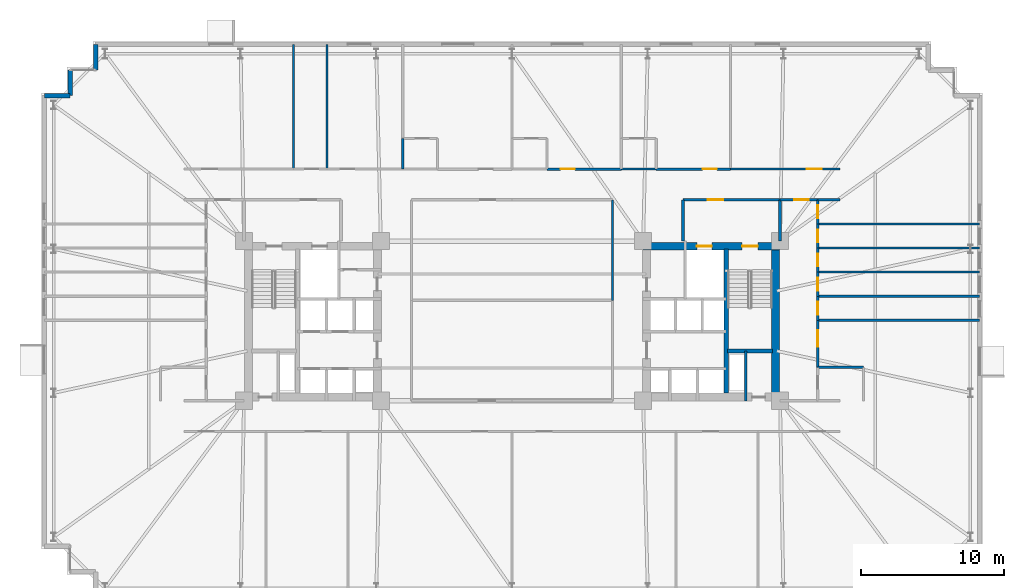
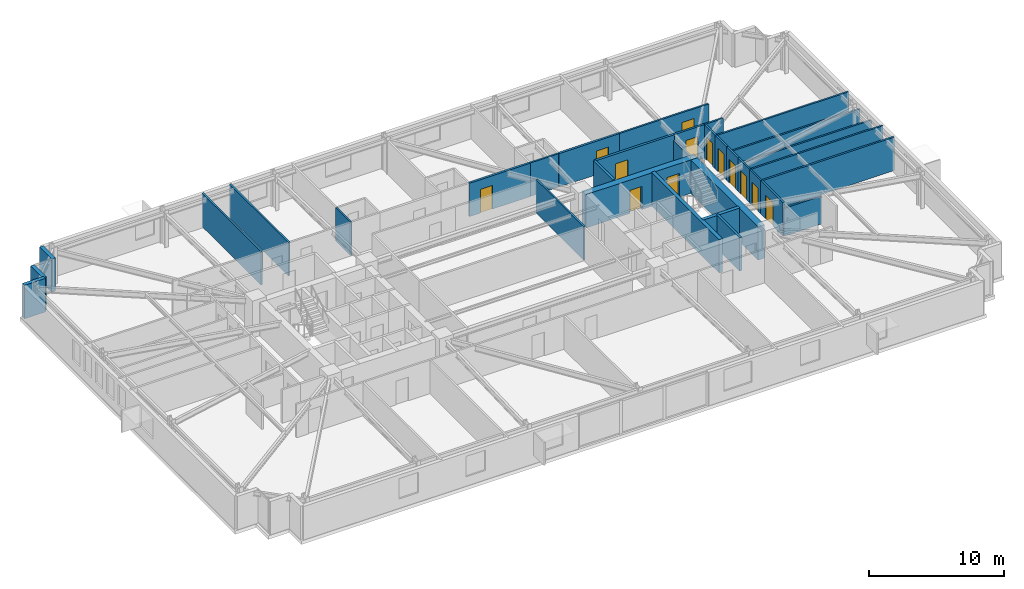
# One storey, part 21 of 24: 33 walls, 13 doors, 13 openings.
"""IFC4 building model written with IfcOpenShell, lengths in metres."""

from ifc_helpers import new_model, si_unit, direction, frame, frame_2d, origin, place, context, subcontext, project, spatial, rectangle, extrude, material, layer, layer_set, type_object, element, fill, save


model = new_model("IFC4")

# Units and contexts
model_context = context("Model", 3, precision=1e-05, world=origin(), true_north=direction((0.0, 1.0)))
body_context = subcontext(model_context, "Body", "Model", "MODEL_VIEW")
ifc_project = project(units=[si_unit("LENGTHUNIT", "METRE"), si_unit("AREAUNIT", "SQUARE_METRE"), si_unit("VOLUMEUNIT", "CUBIC_METRE"), si_unit("PLANEANGLEUNIT", "RADIAN"), si_unit("MASSUNIT", "GRAM", prefix="KILO")], contexts=[model_context])

# Site, building, storey
site_placement = place(None, origin())
site = spatial("IfcSite", under=ifc_project, at=site_placement, CompositionType="ELEMENT")
building_placement = place(site_placement, origin())
building = spatial("IfcBuilding", under=site, at=building_placement, Name="Qobustan Lattice House", CompositionType="ELEMENT")
storey_placement = place(building_placement, frame((0.0, 0.0, 43.75)))
storey = spatial("IfcBuildingStorey", under=building, at=storey_placement, Name="L11", CompositionType="ELEMENT", Elevation=43.75)

# Wall, openings, doors
ifc_material_1 = material(Name="Concrete C60/75", Category="concrete")
ifc_layer_1 = layer(ifc_material_1, 0.56005859375)
ifc_layer_set_1 = layer_set([ifc_layer_1], Name="Concrete C60/75")
wall_type_1 = type_object("IfcWallType", Name="WAL-CORE-600", PredefinedType="SHEAR", material=ifc_layer_set_1)
wall_1_placement = place(storey_placement, frame((9.199951171875, 5.239990234375, 0.0), z_axis=(0.0, 0.0, 1.0), x_axis=(1.0, 0.0, 0.0)))
wall_1 = element("IfcWall", 1, at=wall_1_placement, inside=storey, type_object=wall_type_1, Name="L11 split-core shear wall CE-N", PredefinedType="SHEAR", context=body_context, shape_type="SweptSolid", body=[
    extrude(rectangle(XDim=9.60009765625, YDim=0.56005859375, at=frame_2d((4.800048828125, 0.0))), origin(), (0.0, 0.0, 1.0), 3.034912109375),
])
opening_1_placement = place(wall_1_placement, frame((6.949951171875, 0.0, 0.0)))
opening_1 = element("IfcOpeningElement", 2, at=opening_1_placement, cuts=wall_1, Name="Opening SD-01", PredefinedType="OPENING", context=body_context, shape_type="SweptSolid", body=[
    extrude(rectangle(XDim=1.10009765625, YDim=2.14990234375, at=frame_2d((0.550048828125, 1.074951171875))), frame((0.0, 0.2900390625, 0.0), z_axis=(0.0, -1.0, 0.0), x_axis=(1.0, 0.0, 0.0)), (0.0, 0.0, 1.0), 0.580078125),
])
opening_2_placement = place(wall_1_placement, frame((3.77490234375, 0.0, 0.0)))
opening_2 = element("IfcOpeningElement", 3, at=opening_2_placement, cuts=wall_1, Name="Opening LD-01", PredefinedType="OPENING", context=body_context, shape_type="SweptSolid", body=[
    extrude(rectangle(XDim=1.050048828125, YDim=2.10009765625, at=frame_2d((0.52490234375, 1.050048828125))), frame((0.0, 0.2900390625, 0.0), z_axis=(0.0, -1.0, 0.0), x_axis=(1.0, 0.0, 0.0)), (0.0, 0.0, 1.0), 0.580078125),
])
ifc_material_2 = material(Name="Persian walnut timber and steel frame door", Category="steel")
door_type_1 = type_object("IfcDoorType", Name="DOR-LIFT-LD-1050x2100", OperationType="NOTDEFINED", PredefinedType="DOOR", material=ifc_material_2)
door_1_placement = place(opening_2_placement, origin())
door_1 = element("IfcDoor", 4, at=door_1_placement, inside=storey, type_object=door_type_1, Name="L11 firefighting lift FF-E landing door", OperationType="DOUBLE_DOOR_SLIDING", OverallHeight=2.10009765625, OverallWidth=1.050048828125, PredefinedType="DOOR", context=body_context, shape_type="SweptSolid", body=[
    extrude(rectangle(XDim=1.050048828125, YDim=2.10009765625, at=frame_2d((0.52490234375, 1.050048828125))), frame((0.0, 0.02490234375, 0.0), z_axis=(0.0, -1.0, 0.0), x_axis=(1.0, 0.0, 0.0)), (0.0, 0.0, 1.0), 0.050048828125),
])
fill(opening_2, door_1)
ifc_material_3 = material(Name="Persian walnut timber and steel frame door", Category="steel")
door_type_2 = type_object("IfcDoorType", Name="DOR-STAIR-FD-1100x2150", OperationType="NOTDEFINED", PredefinedType="DOOR", material=ifc_material_3)
door_2_placement = place(opening_1_placement, origin())
door_2 = element("IfcDoor", 5, at=door_2_placement, inside=storey, type_object=door_type_2, Name="L11 exit stair ST-E1 fire door", OperationType="SINGLE_SWING_RIGHT", OverallHeight=2.14990234375, OverallWidth=1.10009765625, PredefinedType="DOOR", context=body_context, shape_type="SweptSolid", body=[
    extrude(rectangle(XDim=1.10009765625, YDim=2.14990234375, at=frame_2d((0.550048828125, 1.074951171875))), frame((0.0, 0.02490234375, 0.0), z_axis=(0.0, -1.0, 0.0), x_axis=(1.0, 0.0, 0.0)), (0.0, 0.0, 1.0), 0.050048828125),
])
fill(opening_1, door_2)

# Walls
wall_2_placement = place(storey_placement, frame((18.489990234375, -5.050048828125, 0.0), z_axis=(0.0, 0.0, 1.0), x_axis=(0.0, 1.0, 0.0)))
element("IfcWall", 6, at=wall_2_placement, inside=storey, type_object=wall_type_1, Name="L11 split-core shear wall CE-E", PredefinedType="SHEAR", context=body_context, shape_type="SweptSolid", body=[
    extrude(rectangle(XDim=10.10009765625, YDim=0.56005859375, at=frame_2d((5.050048828125, 0.0))), origin(), (0.0, 0.0, 1.0), 3.034912109375),
])
ifc_material_4 = material(Name="Concrete C50/60", Category="concrete")
ifc_layer_2 = layer(ifc_material_4, 0.280029296875)
ifc_layer_set_2 = layer_set([ifc_layer_2], Name="Concrete C50/60")
wall_type_2 = type_object("IfcWallType", Name="WAL-CORE-SPINE-280", PredefinedType="SHEAR", material=ifc_layer_set_2)
wall_3_placement = place(storey_placement, frame((15.02001953125, -5.050048828125, 0.0), z_axis=(0.0, 0.0, 1.0), x_axis=(0.0, 1.0, 0.0)))
element("IfcWall", 7, at=wall_3_placement, inside=storey, type_object=wall_type_2, Name="L11 split-core shear wall CE-M", PredefinedType="SHEAR", context=body_context, shape_type="SweptSolid", body=[
    extrude(rectangle(XDim=10.10009765625, YDim=0.300048828125, at=frame_2d((5.050048828125, 0.0))), origin(), (0.0, 0.0, 1.0), 3.034912109375),
])
wall_4_placement = place(storey_placement, frame((15.10009765625, -2.110107421875, 0.0), z_axis=(0.0, 0.0, 1.0), x_axis=(1.0, 0.0, 0.0)))
element("IfcWall", 8, at=wall_4_placement, inside=storey, type_object=wall_type_2, Name="L11 split-core shear wall CE-ST", PredefinedType="SHEAR", context=body_context, shape_type="SweptSolid", body=[
    extrude(rectangle(XDim=3.179931640625, YDim=0.300048828125, at=frame_2d((1.58984375, 0.0))), origin(), (0.0, 0.0, 1.0), 3.034912109375),
])
ifc_material_5 = material(Name="Precast concrete C40/50", Category="concrete")
ifc_layer_3 = layer(ifc_material_5, 0.320068359375)
ifc_layer_set_3 = layer_set([ifc_layer_3], Name="Precast concrete C40/50")
wall_type_3 = type_object("IfcWallType", Name="WAL-EXT-STONE-320", PredefinedType="SOLIDWALL", material=ifc_layer_set_3)
for number, where, z_axis, x_axis, name in (
    (9, (-32.800048828125, 15.800048828125, 0.0), (0.0, 0.0, 1.0), (1.0, 0.0, 0.0), "L11 exterior limestone-clad wall 6"),
    (10, (-31.0, 15.800048828125, 0.0), (0.0, 0.0, 1.0), (0.0, 1.0, 0.0), "L11 exterior limestone-clad wall 7"),
):
    element("IfcWall", number, at=place(storey_placement, frame(where, z_axis=z_axis, x_axis=x_axis)), inside=storey, type_object=wall_type_3, Name=name, PredefinedType="SOLIDWALL", context=body_context, shape_type="SweptSolid", body=[
        extrude(rectangle(XDim=1.800048828125, YDim=0.320068359375, at=frame_2d((0.89990234375, 0.0))), origin(), (0.0, 0.0, 1.0), 3.034912109375),
    ])
wall_5_placement = place(storey_placement, frame((-29.199951171875, 17.60009765625, 0.0), z_axis=(0.0, 0.0, 1.0), x_axis=(0.0, 1.0, 0.0)))
element("IfcWall", 11, at=wall_5_placement, inside=storey, type_object=wall_type_3, Name="L11 exterior limestone-clad wall 9", PredefinedType="SOLIDWALL", context=body_context, shape_type="SweptSolid", body=[
    extrude(rectangle(XDim=1.7998046875, YDim=0.320068359375, at=frame_2d((0.89990234375, 0.0))), origin(), (0.0, 0.0, 1.0), 3.034912109375),
])

# Wall, opening, door
ifc_material_6 = material(Name="Gypsum fireboard acoustic partition", Category="gypsum")
ifc_layer_4 = layer(ifc_material_6, 0.179931640625)
ifc_layer_set_4 = layer_set([ifc_layer_4], Name="Gypsum fireboard acoustic partition")
wall_type_4 = type_object("IfcWallType", Name="WAL-FIRE-180", PredefinedType="PARTITIONING", material=ifc_layer_set_4)
wall_6_placement = place(storey_placement, frame((21.449951171875, 8.5, 0.0), z_axis=(0.0, 0.0, 1.0), x_axis=(-1.0, 0.0, 0.0)))
wall_6 = element("IfcWall", 12, at=wall_6_placement, inside=storey, type_object=wall_type_4, Name="L11 interior partition 45", PredefinedType="PARTITIONING", context=body_context, shape_type="SweptSolid", body=[
    extrude(rectangle(XDim=2.64990234375, YDim=0.179931640625, at=frame_2d((1.324951171875, 0.0))), origin(), (0.0, 0.0, 1.0), 3.034912109375),
])
opening_3_placement = place(wall_6_placement, frame((0.64111328125, 0.0, 0.0)))
opening_3 = element("IfcOpeningElement", 13, at=opening_3_placement, cuts=wall_6, Name="Opening FD-02", PredefinedType="OPENING", context=body_context, shape_type="SweptSolid", body=[
    extrude(rectangle(XDim=1.0, YDim=2.14990234375, at=frame_2d((0.5, 1.074951171875))), frame((0.0, 0.099853515625, 0.0), z_axis=(0.0, -1.0, 0.0), x_axis=(1.0, 0.0, 0.0)), (0.0, 0.0, 1.0), 0.199951171875),
])
ifc_material_7 = material(Name="Persian walnut timber and steel frame door", Category="steel")
door_type_3 = type_object("IfcDoorType", Name="DOR-UNIT-FD-1000x2150", OperationType="NOTDEFINED", PredefinedType="DOOR", material=ifc_material_7)
door_3_placement = place(opening_3_placement, origin())
door_3 = element("IfcDoor", 14, at=door_3_placement, inside=storey, type_object=door_type_3, Name="L11 North-east floor corridor to Residence entrance hall L11E door", OperationType="SINGLE_SWING_RIGHT", OverallHeight=2.14990234375, OverallWidth=1.0, PredefinedType="DOOR", context=body_context, shape_type="SweptSolid", body=[
    extrude(rectangle(XDim=1.0, YDim=2.14990234375, at=frame_2d((0.5, 1.074951171875))), frame((0.0, 0.02490234375, 0.0), z_axis=(0.0, -1.0, 0.0), x_axis=(1.0, 0.0, 0.0)), (0.0, 0.0, 1.0), 0.050048828125),
])
fill(opening_3, door_3)

wall_7_placement = place(storey_placement, frame((2.449951171875, 10.64990234375, 0.0), z_axis=(0.0, 0.0, 1.0), x_axis=(1.0, 0.0, 0.0)))
wall_7 = element("IfcWall", 15, at=wall_7_placement, inside=storey, type_object=wall_type_4, Name="L11 interior partition 47", PredefinedType="PARTITIONING", context=body_context, shape_type="SweptSolid", body=[
    extrude(rectangle(XDim=5.217041015625, YDim=0.179931640625, at=frame_2d((2.6083984375, 0.0))), origin(), (0.0, 0.0, 1.0), 3.034912109375),
])
opening_4_placement = place(wall_7_placement, frame((0.962158203125, 0.0, 0.0)))
opening_4 = element("IfcOpeningElement", 16, at=opening_4_placement, cuts=wall_7, Name="Opening FD-02", PredefinedType="OPENING", context=body_context, shape_type="SweptSolid", body=[
    extrude(rectangle(XDim=1.0, YDim=2.14990234375, at=frame_2d((0.5, 1.074951171875))), frame((0.0, 0.099853515625, 0.0), z_axis=(0.0, -1.0, 0.0), x_axis=(1.0, 0.0, 0.0)), (0.0, 0.0, 1.0), 0.199951171875),
])
door_4_placement = place(opening_4_placement, origin())
door_4 = element("IfcDoor", 17, at=door_4_placement, inside=storey, type_object=door_type_3, Name="L11 North-east floor corridor to Kitchenette and studio apartment L11-N4 door", OperationType="SINGLE_SWING_LEFT", OverallHeight=2.14990234375, OverallWidth=1.0, PredefinedType="DOOR", context=body_context, shape_type="SweptSolid", body=[
    extrude(rectangle(XDim=1.0, YDim=2.14990234375, at=frame_2d((0.5, 1.074951171875))), frame((0.0, 0.02490234375, 0.0), z_axis=(0.0, -1.0, 0.0), x_axis=(1.0, 0.0, 0.0)), (0.0, 0.0, 1.0), 0.050048828125),
])
fill(opening_4, door_4)

wall_8_placement = place(storey_placement, frame((10.116943359375, 10.64990234375, 0.0), z_axis=(0.0, 0.0, 1.0), x_axis=(1.0, 0.0, 0.0)))
wall_8 = element("IfcWall", 18, at=wall_8_placement, inside=storey, type_object=wall_type_4, Name="L11 interior partition 49", PredefinedType="PARTITIONING", context=body_context, shape_type="SweptSolid", body=[
    extrude(rectangle(XDim=5.216064453125, YDim=0.179931640625, at=frame_2d((2.60791015625, 0.0))), origin(), (0.0, 0.0, 1.0), 3.034912109375),
])
opening_5_placement = place(wall_8_placement, frame((3.25390625, 0.0, 0.0)))
opening_5 = element("IfcOpeningElement", 19, at=opening_5_placement, cuts=wall_8, Name="Opening FD-02", PredefinedType="OPENING", context=body_context, shape_type="SweptSolid", body=[
    extrude(rectangle(XDim=1.0, YDim=2.14990234375, at=frame_2d((0.5, 1.074951171875))), frame((0.0, 0.099853515625, 0.0), z_axis=(0.0, -1.0, 0.0), x_axis=(1.0, 0.0, 0.0)), (0.0, 0.0, 1.0), 0.199951171875),
])
door_5_placement = place(opening_5_placement, origin())
door_5 = element("IfcDoor", 20, at=door_5_placement, inside=storey, type_object=door_type_3, Name="L11 North-east floor corridor to Kitchenette and studio apartment L11-N5 door", OperationType="SINGLE_SWING_RIGHT", OverallHeight=2.14990234375, OverallWidth=1.0, PredefinedType="DOOR", context=body_context, shape_type="SweptSolid", body=[
    extrude(rectangle(XDim=1.0, YDim=2.14990234375, at=frame_2d((0.5, 1.074951171875))), frame((0.0, 0.02490234375, 0.0), z_axis=(0.0, -1.0, 0.0), x_axis=(1.0, 0.0, 0.0)), (0.0, 0.0, 1.0), 0.050048828125),
])
fill(opening_5, door_5)

# Wall
ifc_material_8 = material(Name="Acoustic twin-stud gypsum partition", Category="gypsum")
ifc_layer_5 = layer(ifc_material_8, 0.14990234375)
ifc_layer_set_5 = layer_set([ifc_layer_5], Name="Acoustic twin-stud gypsum partition")
wall_type_5 = type_object("IfcWallType", Name="WAL-PART-150", PredefinedType="PARTITIONING", material=ifc_layer_set_5)
wall_9_placement = place(storey_placement, frame((23.0, 8.5, 0.0), z_axis=(0.0, 0.0, 1.0), x_axis=(-1.0, 0.0, 0.0)))
element("IfcWall", 21, at=wall_9_placement, inside=storey, type_object=wall_type_5, Name="L11 interior partition 46", PredefinedType="PARTITIONING", context=body_context, shape_type="SweptSolid", body=[
    extrude(rectangle(XDim=1.550048828125, YDim=0.14990234375, at=frame_2d((0.77490234375, 0.0))), origin(), (0.0, 0.0, 1.0), 3.034912109375),
])

# Wall, opening, door
wall_10_placement = place(storey_placement, frame((15.3330078125, 10.64990234375, 0.0), z_axis=(0.0, 0.0, 1.0), x_axis=(1.0, 0.0, 0.0)))
wall_10 = element("IfcWall", 22, at=wall_10_placement, inside=storey, type_object=wall_type_5, Name="L11 interior partition 51", PredefinedType="PARTITIONING", context=body_context, shape_type="SweptSolid", body=[
    extrude(rectangle(XDim=7.6669921875, YDim=0.14990234375, at=frame_2d((3.83349609375, 0.0))), origin(), (0.0, 0.0, 1.0), 3.034912109375),
])
opening_6_placement = place(wall_10_placement, frame((5.35498046875, 0.0, 0.0)))
opening_6 = element("IfcOpeningElement", 23, at=opening_6_placement, cuts=wall_10, Name="Opening ID-02", PredefinedType="OPENING", context=body_context, shape_type="SweptSolid", body=[
    extrude(rectangle(XDim=1.050048828125, YDim=2.14990234375, at=frame_2d((0.52490234375, 1.074951171875))), frame((0.0, 0.0849609375, 0.0), z_axis=(0.0, -1.0, 0.0), x_axis=(1.0, 0.0, 0.0)), (0.0, 0.0, 1.0), 0.169921875),
])
ifc_material_9 = material(Name="Persian walnut timber and steel frame door", Category="steel")
door_type_4 = type_object("IfcDoorType", Name="DOR-STUDY-1050x2150", OperationType="NOTDEFINED", PredefinedType="DOOR", material=ifc_material_9)
door_6_placement = place(opening_6_placement, origin())
door_6 = element("IfcDoor", 24, at=door_6_placement, inside=storey, type_object=door_type_4, Name="L11 North-east floor corridor to Focus study room N6 door", OperationType="SINGLE_SWING_LEFT", OverallHeight=2.14990234375, OverallWidth=1.050048828125, PredefinedType="DOOR", context=body_context, shape_type="SweptSolid", body=[
    extrude(rectangle(XDim=1.050048828125, YDim=2.14990234375, at=frame_2d((0.52490234375, 1.074951171875))), frame((0.0, 0.02490234375, 0.0), z_axis=(0.0, -1.0, 0.0), x_axis=(1.0, 0.0, 0.0)), (0.0, 0.0, 1.0), 0.050048828125),
])
fill(opening_6, door_6)

# Wall
wall_11_placement = place(storey_placement, frame((7.050048828125, 1.449951171875, 0.0), z_axis=(0.0, 0.0, 1.0), x_axis=(0.0, 1.0, 0.0)))
element("IfcWall", 25, at=wall_11_placement, inside=storey, type_object=wall_type_5, Name="L11 interior partition 68", PredefinedType="PARTITIONING", context=body_context, shape_type="SweptSolid", body=[
    extrude(rectangle(XDim=7.050048828125, YDim=0.14990234375, at=frame_2d((3.52490234375, 0.0))), origin(), (0.0, 0.0, 1.0), 3.034912109375),
])

# Wall, opening, door
wall_12_placement = place(storey_placement, frame((21.449951171875, 1.73193359375, 0.0), z_axis=(0.0, 0.0, 1.0), x_axis=(0.0, -1.0, 0.0)))
wall_12 = element("IfcWall", 26, at=wall_12_placement, inside=storey, type_object=wall_type_5, Name="L11 interior partition 85", PredefinedType="PARTITIONING", context=body_context, shape_type="SweptSolid", body=[
    extrude(rectangle(XDim=1.69189453125, YDim=0.14990234375, at=frame_2d((0.845947265625, 0.0))), origin(), (0.0, 0.0, 1.0), 3.034912109375),
])
opening_7_placement = place(wall_12_placement, frame((0.39599609375, 0.0, 0.0)))
opening_7 = element("IfcOpeningElement", 27, at=opening_7_placement, cuts=wall_12, Name="Opening WD-01", PredefinedType="OPENING", context=body_context, shape_type="SweptSolid", body=[
    extrude(rectangle(XDim=0.89990234375, YDim=2.10009765625, at=frame_2d((0.449951171875, 1.050048828125))), frame((0.0, 0.0849609375, 0.0), z_axis=(0.0, -1.0, 0.0), x_axis=(1.0, 0.0, 0.0)), (0.0, 0.0, 1.0), 0.169921875),
])
ifc_material_10 = material(Name="Persian walnut timber and steel frame door", Category="steel")
door_type_5 = type_object("IfcDoorType", Name="DOR-WET-900x2100", OperationType="NOTDEFINED", PredefinedType="DOOR", material=ifc_material_10)
door_7_placement = place(opening_7_placement, origin())
door_7 = element("IfcDoor", 28, at=door_7_placement, inside=storey, type_object=door_type_5, Name="L11 Residence entrance hall L11E to Cluster bedroom L11E1 door", OperationType="SINGLE_SWING_RIGHT", OverallHeight=2.10009765625, OverallWidth=0.89990234375, PredefinedType="DOOR", context=body_context, shape_type="SweptSolid", body=[
    extrude(rectangle(XDim=0.89990234375, YDim=2.10009765625, at=frame_2d((0.449951171875, 1.050048828125))), frame((0.0, 0.02490234375, 0.0), z_axis=(0.0, -1.0, 0.0), x_axis=(1.0, 0.0, 0.0)), (0.0, 0.0, 1.0), 0.050048828125),
])
fill(opening_7, door_7)

wall_13_placement = place(storey_placement, frame((21.449951171875, 3.424072265625, 0.0), z_axis=(0.0, 0.0, 1.0), x_axis=(0.0, -1.0, 0.0)))
wall_13 = element("IfcWall", 29, at=wall_13_placement, inside=storey, type_object=wall_type_5, Name="L11 interior partition 86", PredefinedType="PARTITIONING", context=body_context, shape_type="SweptSolid", body=[
    extrude(rectangle(XDim=1.692138671875, YDim=0.14990234375, at=frame_2d((0.84619140625, 0.0))), origin(), (0.0, 0.0, 1.0), 3.034912109375),
])
opening_8_placement = place(wall_13_placement, frame((0.39599609375, 0.0, 0.0)))
opening_8 = element("IfcOpeningElement", 30, at=opening_8_placement, cuts=wall_13, Name="Opening WD-01", PredefinedType="OPENING", context=body_context, shape_type="SweptSolid", body=[
    extrude(rectangle(XDim=0.89990234375, YDim=2.10009765625, at=frame_2d((0.449951171875, 1.050048828125))), frame((0.0, 0.0849609375, 0.0), z_axis=(0.0, -1.0, 0.0), x_axis=(1.0, 0.0, 0.0)), (0.0, 0.0, 1.0), 0.169921875),
])
door_8_placement = place(opening_8_placement, origin())
door_8 = element("IfcDoor", 31, at=door_8_placement, inside=storey, type_object=door_type_5, Name="L11 Residence entrance hall L11E to Cluster bedroom L11E2 door", OperationType="SINGLE_SWING_LEFT", OverallHeight=2.10009765625, OverallWidth=0.89990234375, PredefinedType="DOOR", context=body_context, shape_type="SweptSolid", body=[
    extrude(rectangle(XDim=0.89990234375, YDim=2.10009765625, at=frame_2d((0.449951171875, 1.050048828125))), frame((0.0, 0.02490234375, 0.0), z_axis=(0.0, -1.0, 0.0), x_axis=(1.0, 0.0, 0.0)), (0.0, 0.0, 1.0), 0.050048828125),
])
fill(opening_8, door_8)

wall_14_placement = place(storey_placement, frame((21.449951171875, 5.115966796875, 0.0), z_axis=(0.0, 0.0, 1.0), x_axis=(0.0, -1.0, 0.0)))
wall_14 = element("IfcWall", 32, at=wall_14_placement, inside=storey, type_object=wall_type_5, Name="L11 interior partition 87", PredefinedType="PARTITIONING", context=body_context, shape_type="SweptSolid", body=[
    extrude(rectangle(XDim=1.69189453125, YDim=0.14990234375, at=frame_2d((0.845947265625, 0.0))), origin(), (0.0, 0.0, 1.0), 3.034912109375),
])
opening_9_placement = place(wall_14_placement, frame((0.39599609375, 0.0, 0.0)))
opening_9 = element("IfcOpeningElement", 33, at=opening_9_placement, cuts=wall_14, Name="Opening WD-01", PredefinedType="OPENING", context=body_context, shape_type="SweptSolid", body=[
    extrude(rectangle(XDim=0.89990234375, YDim=2.10009765625, at=frame_2d((0.449951171875, 1.050048828125))), frame((0.0, 0.0849609375, 0.0), z_axis=(0.0, -1.0, 0.0), x_axis=(1.0, 0.0, 0.0)), (0.0, 0.0, 1.0), 0.169921875),
])
door_9_placement = place(opening_9_placement, origin())
door_9 = element("IfcDoor", 34, at=door_9_placement, inside=storey, type_object=door_type_5, Name="L11 Residence entrance hall L11E to Cluster bedroom L11E3 door", OperationType="SINGLE_SWING_RIGHT", OverallHeight=2.10009765625, OverallWidth=0.89990234375, PredefinedType="DOOR", context=body_context, shape_type="SweptSolid", body=[
    extrude(rectangle(XDim=0.89990234375, YDim=2.10009765625, at=frame_2d((0.449951171875, 1.050048828125))), frame((0.0, 0.02490234375, 0.0), z_axis=(0.0, -1.0, 0.0), x_axis=(1.0, 0.0, 0.0)), (0.0, 0.0, 1.0), 0.050048828125),
])
fill(opening_9, door_9)

wall_15_placement = place(storey_placement, frame((21.449951171875, 6.80810546875, 0.0), z_axis=(0.0, 0.0, 1.0), x_axis=(0.0, -1.0, 0.0)))
wall_15 = element("IfcWall", 35, at=wall_15_placement, inside=storey, type_object=wall_type_5, Name="L11 interior partition 88", PredefinedType="PARTITIONING", context=body_context, shape_type="SweptSolid", body=[
    extrude(rectangle(XDim=1.692138671875, YDim=0.14990234375, at=frame_2d((0.84619140625, 0.0))), origin(), (0.0, 0.0, 1.0), 3.034912109375),
])
opening_10_placement = place(wall_15_placement, frame((0.39599609375, 0.0, 0.0)))
opening_10 = element("IfcOpeningElement", 36, at=opening_10_placement, cuts=wall_15, Name="Opening WD-01", PredefinedType="OPENING", context=body_context, shape_type="SweptSolid", body=[
    extrude(rectangle(XDim=0.89990234375, YDim=2.10009765625, at=frame_2d((0.449951171875, 1.050048828125))), frame((0.0, 0.0849609375, 0.0), z_axis=(0.0, -1.0, 0.0), x_axis=(1.0, 0.0, 0.0)), (0.0, 0.0, 1.0), 0.169921875),
])
door_10_placement = place(opening_10_placement, origin())
door_10 = element("IfcDoor", 37, at=door_10_placement, inside=storey, type_object=door_type_5, Name="L11 Residence entrance hall L11E to Cluster bedroom L11E4 door", OperationType="SINGLE_SWING_LEFT", OverallHeight=2.10009765625, OverallWidth=0.89990234375, PredefinedType="DOOR", context=body_context, shape_type="SweptSolid", body=[
    extrude(rectangle(XDim=0.89990234375, YDim=2.10009765625, at=frame_2d((0.449951171875, 1.050048828125))), frame((0.0, 0.02490234375, 0.0), z_axis=(0.0, -1.0, 0.0), x_axis=(1.0, 0.0, 0.0)), (0.0, 0.0, 1.0), 0.050048828125),
])
fill(opening_10, door_10)

wall_16_placement = place(storey_placement, frame((21.449951171875, 8.5, 0.0), z_axis=(0.0, 0.0, 1.0), x_axis=(0.0, -1.0, 0.0)))
wall_16 = element("IfcWall", 38, at=wall_16_placement, inside=storey, type_object=wall_type_5, Name="L11 interior partition 89", PredefinedType="PARTITIONING", context=body_context, shape_type="SweptSolid", body=[
    extrude(rectangle(XDim=1.69189453125, YDim=0.14990234375, at=frame_2d((0.845947265625, 0.0))), origin(), (0.0, 0.0, 1.0), 3.034912109375),
])
opening_11_placement = place(wall_16_placement, frame((0.39599609375, 0.0, 0.0)))
opening_11 = element("IfcOpeningElement", 39, at=opening_11_placement, cuts=wall_16, Name="Opening WD-01", PredefinedType="OPENING", context=body_context, shape_type="SweptSolid", body=[
    extrude(rectangle(XDim=0.89990234375, YDim=2.10009765625, at=frame_2d((0.449951171875, 1.050048828125))), frame((0.0, 0.0849609375, 0.0), z_axis=(0.0, -1.0, 0.0), x_axis=(1.0, 0.0, 0.0)), (0.0, 0.0, 1.0), 0.169921875),
])
door_11_placement = place(opening_11_placement, origin())
door_11 = element("IfcDoor", 40, at=door_11_placement, inside=storey, type_object=door_type_5, Name="L11 Residence entrance hall L11E to Cluster bedroom L11E5 door", OperationType="SINGLE_SWING_RIGHT", OverallHeight=2.10009765625, OverallWidth=0.89990234375, PredefinedType="DOOR", context=body_context, shape_type="SweptSolid", body=[
    extrude(rectangle(XDim=0.89990234375, YDim=2.10009765625, at=frame_2d((0.449951171875, 1.050048828125))), frame((0.0, 0.02490234375, 0.0), z_axis=(0.0, -1.0, 0.0), x_axis=(1.0, 0.0, 0.0)), (0.0, 0.0, 1.0), 0.050048828125),
])
fill(opening_11, door_11)

# Walls
wall_17_placement = place(storey_placement, frame((21.449951171875, 1.73193359375, 0.0), z_axis=(0.0, 0.0, 1.0), x_axis=(1.0, 0.0, 0.0)))
element("IfcWall", 41, at=wall_17_placement, inside=storey, type_object=wall_type_5, Name="L11 interior partition 93", PredefinedType="PARTITIONING", context=body_context, shape_type="SweptSolid", body=[
    extrude(rectangle(XDim=11.35009765625, YDim=0.14990234375, at=frame_2d((5.675048828125, 0.0))), origin(), (0.0, 0.0, 1.0), 3.034912109375),
])
for number, where, z_axis, x_axis, name in (
    (42, (21.449951171875, 3.424072265625, 0.0), (0.0, 0.0, 1.0), (1.0, 0.0, 0.0), "L11 interior partition 94"),
    (43, (21.449951171875, 5.115966796875, 0.0), (0.0, 0.0, 1.0), (1.0, 0.0, 0.0), "L11 interior partition 95"),
):
    element("IfcWall", number, at=place(storey_placement, frame(where, z_axis=z_axis, x_axis=x_axis)), inside=storey, type_object=wall_type_5, Name=name, PredefinedType="PARTITIONING", context=body_context, shape_type="SweptSolid", body=[
        extrude(rectangle(XDim=11.35009765625, YDim=0.14990234375, at=frame_2d((5.675048828125, 0.0))), origin(), (0.0, 0.0, 1.0), 2.52001953125),
    ])
wall_18_placement = place(storey_placement, frame((21.449951171875, 6.80810546875, 0.0), z_axis=(0.0, 0.0, 1.0), x_axis=(1.0, 0.0, 0.0)))
element("IfcWall", 44, at=wall_18_placement, inside=storey, type_object=wall_type_5, Name="L11 interior partition 96", PredefinedType="PARTITIONING", context=body_context, shape_type="SweptSolid", body=[
    extrude(rectangle(XDim=11.35009765625, YDim=0.14990234375, at=frame_2d((5.675048828125, 0.0))), origin(), (0.0, 0.0, 1.0), 3.034912109375),
])

# Wall, opening, door
ifc_material_11 = material(Name="High-mass acoustic twin-stud partition", Category="gypsum")
ifc_layer_6 = layer(ifc_material_11, 0.1650390625)
ifc_layer_set_6 = layer_set([ifc_layer_6], Name="High-mass acoustic twin-stud partition")
wall_type_6 = type_object("IfcWallType", Name="WAL-PART-165", PredefinedType="PARTITIONING", material=ifc_layer_set_6)
wall_19_placement = place(storey_placement, frame((21.449951171875, 0.0400390625, 0.0), z_axis=(0.0, 0.0, 1.0), x_axis=(0.0, -1.0, 0.0)))
wall_19 = element("IfcWall", 45, at=wall_19_placement, inside=storey, type_object=wall_type_6, Name="L11 interior partition 84", PredefinedType="PARTITIONING", context=body_context, shape_type="SweptSolid", body=[
    extrude(rectangle(XDim=3.2900390625, YDim=0.1650390625, at=frame_2d((1.64501953125, 0.0))), origin(), (0.0, 0.0, 1.0), 3.034912109375),
])
opening_12_placement = place(wall_19_placement, frame((0.702392578125, 0.0, 0.0)))
opening_12 = element("IfcOpeningElement", 46, at=opening_12_placement, cuts=wall_19, Name="Opening ID-03", PredefinedType="OPENING", context=body_context, shape_type="SweptSolid", body=[
    extrude(rectangle(XDim=1.14990234375, YDim=2.14990234375, at=frame_2d((0.574951171875, 1.074951171875))), frame((0.0, 0.092529296875, 0.0), z_axis=(0.0, -1.0, 0.0), x_axis=(1.0, 0.0, 0.0)), (0.0, 0.0, 1.0), 0.18505859375),
])
ifc_material_12 = material(Name="Persian walnut timber and steel frame door", Category="steel")
door_type_6 = type_object("IfcDoorType", Name="DOR-KITCH-1150x2150", OperationType="NOTDEFINED", PredefinedType="DOOR", material=ifc_material_12)
door_12_placement = place(opening_12_placement, origin())
door_12 = element("IfcDoor", 47, at=door_12_placement, inside=storey, type_object=door_type_6, Name="L11 Residence entrance hall L11E to Shared kitchen L11E door", OperationType="SINGLE_SWING_LEFT", OverallHeight=2.14990234375, OverallWidth=1.14990234375, PredefinedType="DOOR", context=body_context, shape_type="SweptSolid", body=[
    extrude(rectangle(XDim=1.14990234375, YDim=2.14990234375, at=frame_2d((0.574951171875, 1.074951171875))), frame((0.0, 0.02490234375, 0.0), z_axis=(0.0, -1.0, 0.0), x_axis=(1.0, 0.0, 0.0)), (0.0, 0.0, 1.0), 0.050048828125),
])
fill(opening_12, door_12)

# Wall
wall_20_placement = place(storey_placement, frame((21.449951171875, 0.0400390625, 0.0), z_axis=(0.0, 0.0, 1.0), x_axis=(1.0, 0.0, 0.0)))
element("IfcWall", 48, at=wall_20_placement, inside=storey, type_object=wall_type_6, Name="L11 interior partition 92", PredefinedType="PARTITIONING", context=body_context, shape_type="SweptSolid", body=[
    extrude(rectangle(XDim=11.35009765625, YDim=0.1650390625, at=frame_2d((5.675048828125, 0.0))), origin(), (0.0, 0.0, 1.0), 3.034912109375),
])

# Wall, opening, door
ifc_material_13 = material(Name="Two-hour gypsum fireboard acoustic partition", Category="gypsum")
ifc_layer_7 = layer(ifc_material_13, 0.199951171875)
ifc_layer_set_7 = layer_set([ifc_layer_7], Name="Two-hour gypsum fireboard acoustic partition")
wall_type_7 = type_object("IfcWallType", Name="WAL-PROT-200", PredefinedType="PARTITIONING", material=ifc_layer_set_7)
wall_21_placement = place(storey_placement, frame((18.800048828125, 8.5, 0.0), z_axis=(0.0, 0.0, 1.0), x_axis=(-1.0, 0.0, 0.0)))
wall_21 = element("IfcWall", 49, at=wall_21_placement, inside=storey, type_object=wall_type_7, Name="L11 interior partition 22", PredefinedType="PARTITIONING", context=body_context, shape_type="SweptSolid", body=[
    extrude(rectangle(XDim=6.800048828125, YDim=0.199951171875, at=frame_2d((3.39990234375, 0.0))), origin(), (0.0, 0.0, 1.0), 3.034912109375),
])
opening_13_placement = place(wall_21_placement, frame((3.985107421875, 0.0, 0.0)))
opening_13 = element("IfcOpeningElement", 50, at=opening_13_placement, cuts=wall_21, Name="Opening SD-01", PredefinedType="OPENING", context=body_context, shape_type="SweptSolid", body=[
    extrude(rectangle(XDim=1.10009765625, YDim=2.14990234375, at=frame_2d((0.550048828125, 1.074951171875))), frame((0.0, 0.10986328125, 0.0), z_axis=(0.0, -1.0, 0.0), x_axis=(1.0, 0.0, 0.0)), (0.0, 0.0, 1.0), 0.219970703125),
])
door_13_placement = place(opening_13_placement, origin())
door_13 = element("IfcDoor", 51, at=door_13_placement, inside=storey, type_object=door_type_2, Name="L11 East firefighting lift lobby to North-east floor corridor door", OperationType="SINGLE_SWING_LEFT", OverallHeight=2.14990234375, OverallWidth=1.10009765625, PredefinedType="DOOR", context=body_context, shape_type="SweptSolid", body=[
    extrude(rectangle(XDim=1.10009765625, YDim=2.14990234375, at=frame_2d((0.550048828125, 1.074951171875))), frame((0.0, 0.02490234375, 0.0), z_axis=(0.0, -1.0, 0.0), x_axis=(1.0, 0.0, 0.0)), (0.0, 0.0, 1.0), 0.050048828125),
])
fill(opening_13, door_13)

# Walls
wall_22_placement = place(storey_placement, frame((12.0, 8.5, 0.0), z_axis=(0.0, 0.0, 1.0), x_axis=(0.0, -1.0, 0.0)))
element("IfcWall", 52, at=wall_22_placement, inside=storey, type_object=wall_type_7, Name="L11 interior partition 23", PredefinedType="PARTITIONING", context=body_context, shape_type="SweptSolid", body=[
    extrude(rectangle(XDim=2.89990234375, YDim=0.199951171875, at=frame_2d((1.449951171875, 0.0))), origin(), (0.0, 0.0, 1.0), 3.034912109375),
])
wall_23_placement = place(storey_placement, frame((18.800048828125, 5.60009765625, 0.0), z_axis=(0.0, 0.0, 1.0), x_axis=(0.0, 1.0, 0.0)))
element("IfcWall", 53, at=wall_23_placement, inside=storey, type_object=wall_type_7, Name="L11 interior partition 24", PredefinedType="PARTITIONING", context=body_context, shape_type="SweptSolid", body=[
    extrude(rectangle(XDim=2.89990234375, YDim=0.199951171875, at=frame_2d((1.449951171875, 0.0))), origin(), (0.0, 0.0, 1.0), 2.52001953125),
])
ifc_material_14 = material(Name="Concrete C40/50", Category="concrete")
ifc_layer_8 = layer(ifc_material_14, 0.199951171875)
ifc_layer_set_8 = layer_set([ifc_layer_8], Name="Concrete C40/50")
wall_type_8 = type_object("IfcWallType", Name="WAL-SHAFT-200", PredefinedType="PARTITIONING", material=ifc_layer_set_8)
wall_24_placement = place(storey_placement, frame((16.39990234375, -2.110107421875, 0.0), z_axis=(0.0, 0.0, 1.0), x_axis=(0.0, -1.0, 0.0)))
element("IfcWall", 54, at=wall_24_placement, inside=storey, type_object=wall_type_8, Name="L11 interior partition 20", PredefinedType="PARTITIONING", context=body_context, shape_type="SweptSolid", body=[
    extrude(rectangle(XDim=3.489990234375, YDim=0.199951171875, at=frame_2d((1.7451171875, 0.0))), origin(), (0.0, 0.0, 1.0), 3.034912109375),
])
ifc_material_15 = material(Name="Moisture-resistant acoustic plumbing wall", Category="gypsum")
ifc_layer_9 = layer(ifc_material_15, 0.14990234375)
ifc_layer_set_9 = layer_set([ifc_layer_9], Name="Moisture-resistant acoustic plumbing wall")
wall_type_9 = type_object("IfcWallType", Name="WAL-WET-150", PredefinedType="PLUMBINGWALL", material=ifc_layer_set_9)
wall_25_placement = place(storey_placement, frame((7.6669921875, 10.64990234375, 0.0), z_axis=(0.0, 0.0, 1.0), x_axis=(1.0, 0.0, 0.0)))
element("IfcWall", 55, at=wall_25_placement, inside=storey, type_object=wall_type_9, Name="L11 interior partition 50", PredefinedType="PLUMBINGWALL", context=body_context, shape_type="SweptSolid", body=[
    extrude(rectangle(XDim=2.449951171875, YDim=0.14990234375, at=frame_2d((1.22509765625, 0.0))), origin(), (0.0, 0.0, 1.0), 3.034912109375),
])
wall_26_placement = place(storey_placement, frame((21.449951171875, -3.25, 0.0), z_axis=(0.0, 0.0, 1.0), x_axis=(1.0, 0.0, 0.0)))
element("IfcWall", 56, at=wall_26_placement, inside=storey, type_object=wall_type_9, Name="L11 interior partition 90", PredefinedType="PLUMBINGWALL", context=body_context, shape_type="SweptSolid", body=[
    extrude(rectangle(XDim=3.199951171875, YDim=0.14990234375, at=frame_2d((1.60009765625, 0.0))), origin(), (0.0, 0.0, 1.0), 2.52001953125),
])
for number, where, z_axis, x_axis, name in (
    (57, (-15.3330078125, 19.39990234375, 0.0), (0.0, 0.0, 1.0), (0.0, -1.0, 0.0), "L11 interior partition 97"),
    (58, (-12.98291015625, 19.39990234375, 0.0), (0.0, 0.0, 1.0), (0.0, -1.0, 0.0), "L11 interior partition 98"),
):
    element("IfcWall", number, at=place(storey_placement, frame(where, z_axis=z_axis, x_axis=x_axis)), inside=storey, type_object=wall_type_9, Name=name, PredefinedType="PLUMBINGWALL", context=body_context, shape_type="SweptSolid", body=[
        extrude(rectangle(XDim=8.75, YDim=0.14990234375, at=frame_2d((4.375, 0.0))), origin(), (0.0, 0.0, 1.0), 3.034912109375),
    ])
wall_27_placement = place(storey_placement, frame((-7.6669921875, 12.800048828125, 0.0), z_axis=(0.0, 0.0, 1.0), x_axis=(0.0, -1.0, 0.0)))
element("IfcWall", 59, at=wall_27_placement, inside=storey, type_object=wall_type_9, Name="L11 interior partition 100", PredefinedType="PLUMBINGWALL", context=body_context, shape_type="SweptSolid", body=[
    extrude(rectangle(XDim=2.150146484375, YDim=0.14990234375, at=frame_2d((1.0751953125, 0.0))), origin(), (0.0, 0.0, 1.0), 3.034912109375),
])

save(model, "model.ifc")
